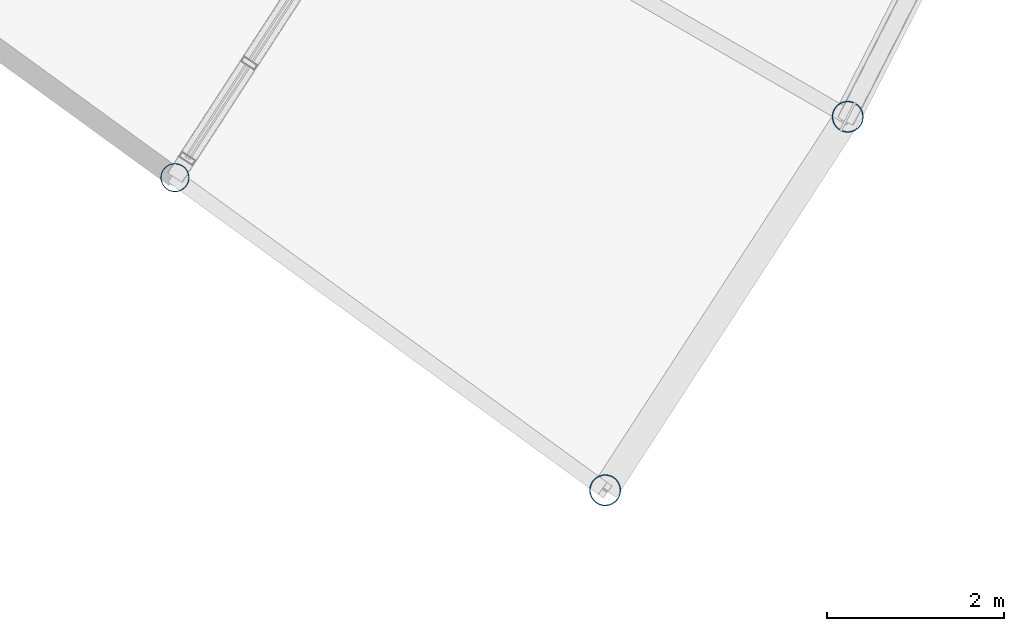
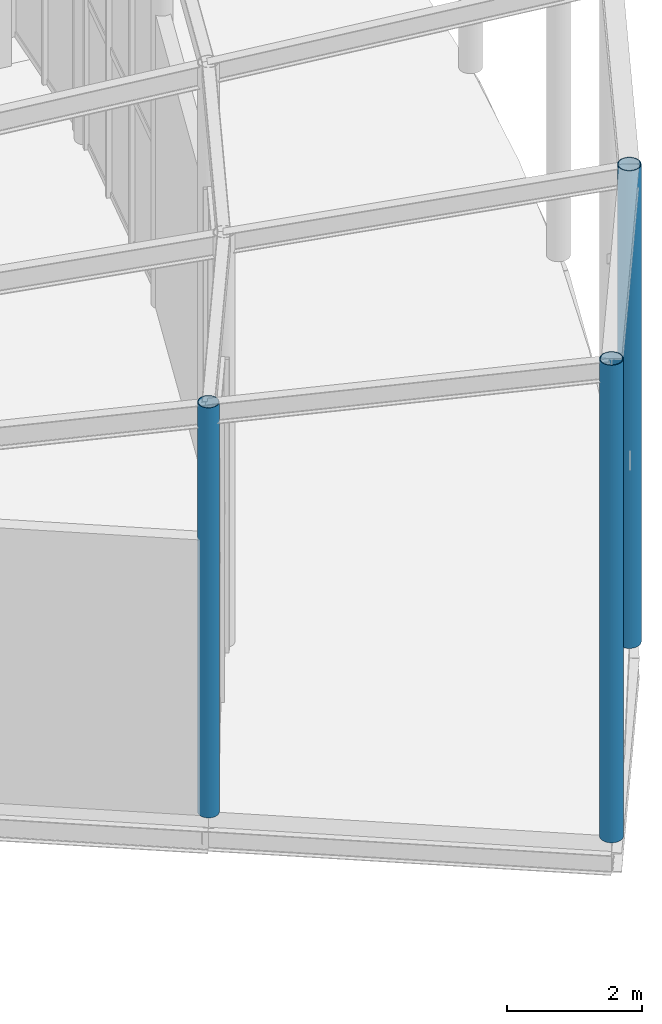
# One storey, part 22 of 158: 3 columns.
"""IFC4 building model written with IfcOpenShell, lengths in metres."""

from ifc_helpers import new_model, si_unit, derived_unit, direction, frame, origin, origin_2d, place, context, subcontext, project, spatial, hollow_circle, extrude, material, material_profile, profile_set, type_object, element, save


model = new_model("IFC4")

# Units and contexts
model_context = context("Model", 3, precision=1e-05, world=origin(), true_north=direction((0.0, 1.0)))
body_context = subcontext(model_context, "Body", "Model", "MODEL_VIEW")
ifc_project = project(units=[si_unit("LENGTHUNIT", "METRE"), si_unit("AREAUNIT", "SQUARE_METRE"), si_unit("VOLUMEUNIT", "CUBIC_METRE"), si_unit("PLANEANGLEUNIT", "RADIAN"), si_unit("MASSUNIT", "GRAM", prefix="KILO"), si_unit("THERMODYNAMICTEMPERATUREUNIT", "KELVIN"), si_unit("TIMEUNIT", "SECOND"), derived_unit("THERMALTRANSMITTANCEUNIT", [(si_unit("MASSUNIT", "GRAM", prefix="KILO"), 1), (si_unit("THERMODYNAMICTEMPERATUREUNIT", "KELVIN"), -1), (si_unit("TIMEUNIT", "SECOND"), -3)])], contexts=[model_context])

# Site, building, storey
site_placement = place(None, origin())
site = spatial("IfcSite", under=ifc_project, at=site_placement, CompositionType="ELEMENT")
building_placement = place(site_placement, origin())
building = spatial("IfcBuilding", under=site, at=building_placement, Name="Cambertide Market Hall", CompositionType="ELEMENT")
storey_placement = place(building_placement, origin())
storey = spatial("IfcBuildingStorey", under=building, at=storey_placement, Name="L01", CompositionType="ELEMENT", Elevation=0.0)

# Columns
ifc_material_1 = material(Name="Steel S355", Category="steel")
ifc_material_profile_1 = material_profile(ifc_material_1, hollow_circle(Radius=0.161865234375, WallThickness=0.010009765625, at=origin_2d()), Name="CHS 323.9x10")
ifc_profile_set_1 = profile_set([ifc_material_profile_1], Name="Steel S355")
column_type_1 = type_object("IfcColumnType", Name="Exterior Steel Column CHS 323.9x10", PredefinedType="COLUMN", material=ifc_profile_set_1)
column_placement = place(storey_placement, frame((177.978759765625, 41.31298828125, 0.0), z_axis=(0.0, 0.0, 1.0), x_axis=(0.809016994375, -0.587785252292, 0.0)))
element("IfcColumn", 1, at=column_placement, inside=storey, type_object=column_type_1, Name="Level 1 Column COL-V5-MID00-L01", PredefinedType="COLUMN", context=body_context, shape_type="SweptSolid", body=[
    extrude(hollow_circle(Radius=0.161865234375, WallThickness=0.010009765625, at=origin_2d()), origin(), (0.0, 0.0, 1.0), 7.409912109375),
])
ifc_material_2 = material(Name="Steel S355", Category="steel")
ifc_material_profile_2 = material_profile(ifc_material_2, hollow_circle(Radius=0.177734375, WallThickness=0.012451171875, at=origin_2d()), Name="CHS 355.6x12.5")
ifc_profile_set_2 = profile_set([ifc_material_profile_2], Name="Steel S355")
column_type_2 = type_object("IfcColumnType", Name="Exterior Steel Column CHS 355.6x12.5", PredefinedType="COLUMN", material=ifc_profile_set_2)
for number, where, z_axis, x_axis, name in (
    (2, (182.832763671875, 37.786376953125, 0.0), (0.0, 0.0, 1.0), (0.809016994375, -0.587785252292, 0.0), "Level 1 Column COL-V5-OUT00-L01"),
    (3, (185.5693359375, 42.0, 0.0), (0.0, 0.0, 1.0), (0.866025403784, -0.5, 0.0), "Level 1 Column COL-V5-OUT02-L01"),
):
    element("IfcColumn", number, at=place(storey_placement, frame(where, z_axis=z_axis, x_axis=x_axis)), inside=storey, type_object=column_type_2, Name=name, PredefinedType="COLUMN", context=body_context, shape_type="SweptSolid", body=[
        extrude(hollow_circle(Radius=0.177734375, WallThickness=0.012451171875, at=origin_2d()), origin(), (0.0, 0.0, 1.0), 8.6298828125),
    ])

save(model, "model.ifc")
